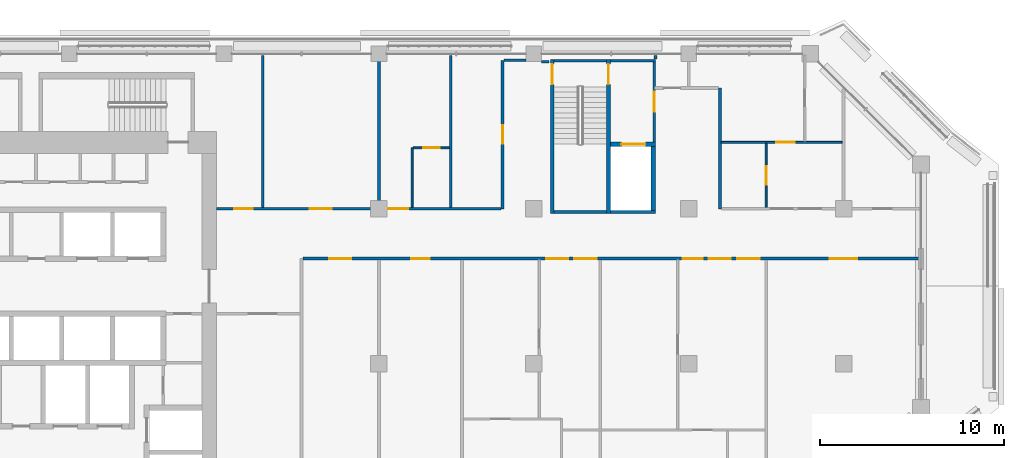
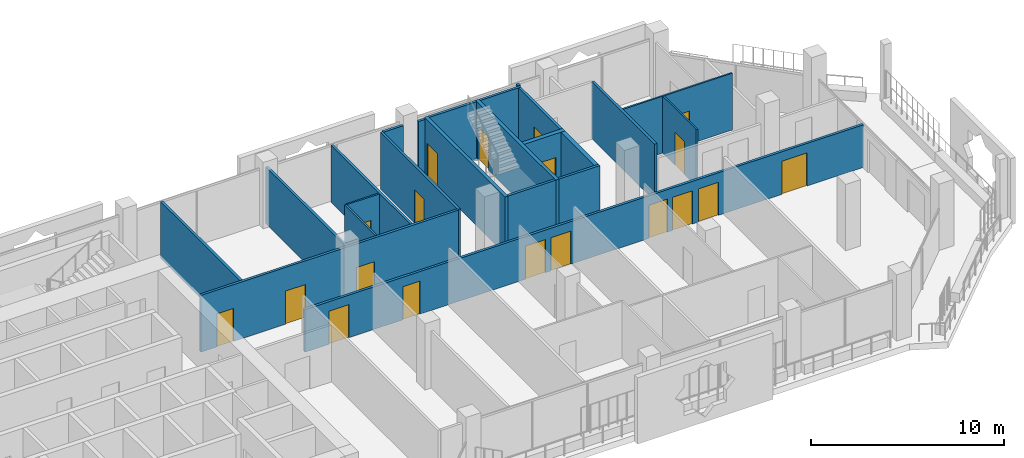
# One storey, part 12 of 20: 23 walls, 19 doors, 19 openings.
"""IFC4 building model written with IfcOpenShell, lengths in metres."""

from ifc_helpers import new_model, si_unit, direction, frame, frame_2d, origin, place, context, subcontext, project, spatial, rectangle, extrude, material, layer, layer_set, type_object, element, fill, save


model = new_model("IFC4")

# Units and contexts
model_context = context("Model", 3, precision=1e-05, world=origin(), true_north=direction((0.0, 1.0)))
body_context = subcontext(model_context, "Body", "Model", "MODEL_VIEW")
ifc_project = project(units=[si_unit("LENGTHUNIT", "METRE"), si_unit("AREAUNIT", "SQUARE_METRE"), si_unit("VOLUMEUNIT", "CUBIC_METRE"), si_unit("PLANEANGLEUNIT", "RADIAN"), si_unit("MASSUNIT", "GRAM", prefix="KILO")], contexts=[model_context])

# Site, building, storey
site_placement = place(None, origin())
site = spatial("IfcSite", under=ifc_project, at=site_placement, CompositionType="ELEMENT")
building_placement = place(site_placement, origin())
building = spatial("IfcBuilding", under=site, at=building_placement, Name="Kawkab Arch Medical Tower", CompositionType="ELEMENT")
storey_placement = place(building_placement, frame((0.0, 0.0, 239.0)))
storey = spatial("IfcBuildingStorey", under=building, at=storey_placement, Name="L55", CompositionType="ELEMENT", Elevation=239.0)

# Wall, opening, door
ifc_material_1 = material(Name="Gypsum board on steel studs", Category="steel")
ifc_layer_1 = layer(ifc_material_1, 0.14990234375)
ifc_layer_set_1 = layer_set([ifc_layer_1], Name="Gypsum board on steel studs")
wall_type_1 = type_object("IfcWallType", Name="Core room partition 150", PredefinedType="PARTITIONING", material=ifc_layer_set_1)
wall_1_placement = place(storey_placement, frame((48.52490234375, -4.77490234375, 0.0), z_axis=(0.0, 0.0, 1.0), x_axis=(0.0, 1.0, 0.0)))
wall_1 = element("IfcWall", 1, at=wall_1_placement, inside=storey, type_object=wall_type_1, Name="L55 core room partition", PredefinedType="PARTITIONING", context=body_context, shape_type="SweptSolid", body=[
    extrude(rectangle(XDim=4.324951171875, YDim=0.14990234375, at=frame_2d((2.16259765625, 0.0))), origin(), (0.0, 0.0, 1.0), 3.60009765625),
])
opening_1_placement = place(wall_1_placement, frame((1.625, 0.0, 0.0)))
opening_1 = element("IfcOpeningElement", 2, at=opening_1_placement, cuts=wall_1, Name="Opening FD", PredefinedType="OPENING", context=body_context, shape_type="SweptSolid", body=[
    extrude(rectangle(XDim=1.10009765625, YDim=2.10009765625, at=frame_2d((0.550048828125, 1.050048828125))), frame((0.0, 0.0849609375, 0.0), z_axis=(0.0, -1.0, 0.0), x_axis=(1.0, 0.0, 0.0)), (0.0, 0.0, 1.0), 0.169921875),
])
ifc_material_2 = material(Name="Hollow metal fire door leaf")
door_type_1 = type_object("IfcDoorType", Name="Firefighting lobby door 1100", OperationType="SINGLE_SWING_LEFT", PredefinedType="DOOR", material=ifc_material_2)
door_1_placement = place(opening_1_placement, origin())
door_1 = element("IfcDoor", 3, at=door_1_placement, inside=storey, type_object=door_type_1, Name="L55 Service lift lobby door SV1", OperationType="SINGLE_SWING_LEFT", OverallHeight=2.10009765625, OverallWidth=1.10009765625, PredefinedType="DOOR", context=body_context, shape_type="SweptSolid", body=[
    extrude(rectangle(XDim=1.10009765625, YDim=2.10009765625, at=frame_2d((0.550048828125, 1.050048828125))), frame((0.0, 0.02490234375, 0.0), z_axis=(0.0, -1.0, 0.0), x_axis=(1.0, 0.0, 0.0)), (0.0, 0.0, 1.0), 0.050048828125),
])
fill(opening_1, door_1)

ifc_material_3 = material(Name="Concrete C60/75", Category="concrete")
ifc_layer_2 = layer(ifc_material_3, 0.25)
ifc_layer_set_2 = layer_set([ifc_layer_2], Name="Concrete C60/75")
wall_type_2 = type_object("IfcWallType", Name="Core shear wall 250 C60/75", PredefinedType="SHEAR", material=ifc_layer_set_2)
wall_2_placement = place(storey_placement, frame((46.14990234375, -4.89990234375, 0.0), z_axis=(0.0, 0.0, 1.0), x_axis=(1.0, 0.0, 0.0)))
wall_2 = element("IfcWall", 4, at=wall_2_placement, inside=storey, type_object=wall_type_2, Name="L55 core shear wall", PredefinedType="SHEAR", context=body_context, shape_type="SweptSolid", body=[
    extrude(rectangle(XDim=2.4501953125, YDim=0.25, at=frame_2d((1.22509765625, 0.0))), origin(), (0.0, 0.0, 1.0), 3.60009765625),
])
opening_2_placement = place(wall_2_placement, frame((0.60009765625, 0.0, 0.0)))
opening_2 = element("IfcOpeningElement", 5, at=opening_2_placement, cuts=wall_2, Name="Opening LD2", PredefinedType="OPENING", context=body_context, shape_type="SweptSolid", body=[
    extrude(rectangle(XDim=1.300048828125, YDim=2.10009765625, at=frame_2d((0.64990234375, 1.050048828125))), frame((0.0, 0.135009765625, 0.0), z_axis=(0.0, -1.0, 0.0), x_axis=(1.0, 0.0, 0.0)), (0.0, 0.0, 1.0), 0.27001953125),
])
ifc_material_4 = material(Name="Stainless steel lift door leaf", Category="steel")
door_type_2 = type_object("IfcDoorType", Name="Lift landing door 1300", OperationType="DOUBLE_DOOR_SLIDING", PredefinedType="DOOR", material=ifc_material_4)
door_2_placement = place(opening_2_placement, origin())
door_2 = element("IfcDoor", 6, at=door_2_placement, inside=storey, type_object=door_type_2, Name="L55 Lift landing door SV1", OperationType="DOUBLE_DOOR_SLIDING", OverallHeight=2.10009765625, OverallWidth=1.300048828125, PredefinedType="DOOR", context=body_context, shape_type="SweptSolid", body=[
    extrude(rectangle(XDim=1.300048828125, YDim=2.10009765625, at=frame_2d((0.64990234375, 1.050048828125))), frame((0.0, 0.02490234375, 0.0), z_axis=(0.0, -1.0, 0.0), x_axis=(1.0, 0.0, 0.0)), (0.0, 0.0, 1.0), 0.050048828125),
])
fill(opening_2, door_2)

# Wall
wall_3_placement = place(storey_placement, frame((48.47509765625, -8.5, 0.0), z_axis=(0.0, 0.0, 1.0), x_axis=(0.0, 1.0, 0.0)))
element("IfcWall", 7, at=wall_3_placement, inside=storey, type_object=wall_type_2, Name="L55 core shear wall", PredefinedType="SHEAR", context=body_context, shape_type="SweptSolid", body=[
    extrude(rectangle(XDim=3.47509765625, YDim=0.25, at=frame_2d((1.737548828125, 0.0))), origin(), (0.0, 0.0, 1.0), 3.60009765625),
])

# Wall, opening, door
ifc_material_5 = material(Name="Gypsum board partition on steel studs", Category="steel")
ifc_layer_3 = layer(ifc_material_5, 0.10009765625)
ifc_layer_set_3 = layer_set([ifc_layer_3], Name="Gypsum board partition on steel studs")
wall_type_3 = type_object("IfcWallType", Name="Partition 100", PredefinedType="PARTITIONING", material=ifc_layer_set_3)
wall_4_placement = place(storey_placement, frame((35.449951171875, -5.10009765625, 0.0), z_axis=(0.0, 0.0, 1.0), x_axis=(1.0, 0.0, 0.0)))
wall_4 = element("IfcWall", 8, at=wall_4_placement, inside=storey, type_object=wall_type_3, Name="Partition 100 w003", PredefinedType="PARTITIONING", context=body_context, shape_type="SweptSolid", body=[
    extrude(rectangle(XDim=1.97509765625, YDim=0.10009765625, at=frame_2d((0.987548828125, 0.0))), origin(), (0.0, 0.0, 1.0), 3.60009765625),
])
opening_3_placement = place(wall_4_placement, frame((0.550048828125, 0.0, 0.0)))
opening_3 = element("IfcOpeningElement", 9, at=opening_3_placement, cuts=wall_4, Name="Opening W55-005", PredefinedType="OPENING", context=body_context, shape_type="SweptSolid", body=[
    extrude(rectangle(XDim=0.89990234375, YDim=2.10009765625, at=frame_2d((0.449951171875, 1.050048828125))), frame((0.0, 0.06005859375, 0.0), z_axis=(0.0, -1.0, 0.0), x_axis=(1.0, 0.0, 0.0)), (0.0, 0.0, 1.0), 0.1201171875),
])
ifc_material_6 = material(Name="Timber door leaf", Category="wood")
door_type_3 = type_object("IfcDoorType", Name="Single door 900x2100", OperationType="NOTDEFINED", PredefinedType="DOOR", material=ifc_material_6)
door_3_placement = place(opening_3_placement, origin())
door_3 = element("IfcDoor", 10, at=door_3_placement, inside=storey, type_object=door_type_3, Name="Door W55-005", OperationType="SINGLE_SWING_LEFT", OverallHeight=2.10009765625, OverallWidth=0.89990234375, PredefinedType="DOOR", context=body_context, shape_type="SweptSolid", body=[
    extrude(rectangle(XDim=0.89990234375, YDim=2.10009765625, at=frame_2d((0.449951171875, 1.050048828125))), frame((0.0, 0.02490234375, 0.0), z_axis=(0.0, -1.0, 0.0), x_axis=(1.0, 0.0, 0.0)), (0.0, 0.0, 1.0), 0.050048828125),
])
fill(opening_3, door_3)

wall_5_placement = place(storey_placement, frame((52.16796875, -4.800048828125, 0.0), z_axis=(0.0, 0.0, 1.0), x_axis=(1.0, 0.0, 0.0)))
wall_5 = element("IfcWall", 11, at=wall_5_placement, inside=storey, type_object=wall_type_3, Name="Partition 100 w004", PredefinedType="PARTITIONING", context=body_context, shape_type="SweptSolid", body=[
    extrude(rectangle(XDim=6.55712890625, YDim=0.10009765625, at=frame_2d((3.278564453125, 0.0))), origin(), (0.0, 0.0, 1.0), 3.60009765625),
])
opening_4_placement = place(wall_5_placement, frame((2.98193359375, 0.0, 0.0)))
opening_4 = element("IfcOpeningElement", 12, at=opening_4_placement, cuts=wall_5, Name="Opening W55-010", PredefinedType="OPENING", context=body_context, shape_type="SweptSolid", body=[
    extrude(rectangle(XDim=1.0, YDim=2.10009765625, at=frame_2d((0.5, 1.050048828125))), frame((0.0, 0.06005859375, 0.0), z_axis=(0.0, -1.0, 0.0), x_axis=(1.0, 0.0, 0.0)), (0.0, 0.0, 1.0), 0.1201171875),
])
ifc_material_7 = material(Name="Timber door leaf", Category="wood")
door_type_4 = type_object("IfcDoorType", Name="Single door 1000x2100", OperationType="NOTDEFINED", PredefinedType="DOOR", material=ifc_material_7)
door_4_placement = place(opening_4_placement, origin())
door_4 = element("IfcDoor", 13, at=door_4_placement, inside=storey, type_object=door_type_4, Name="Door W55-010", OperationType="SINGLE_SWING_LEFT", OverallHeight=2.10009765625, OverallWidth=1.0, PredefinedType="DOOR", context=body_context, shape_type="SweptSolid", body=[
    extrude(rectangle(XDim=1.0, YDim=2.10009765625, at=frame_2d((0.5, 1.050048828125))), frame((0.0, 0.02490234375, 0.0), z_axis=(0.0, -1.0, 0.0), x_axis=(1.0, 0.0, 0.0)), (0.0, 0.0, 1.0), 0.050048828125),
])
fill(opening_4, door_4)

# Wall
wall_6_placement = place(storey_placement, frame((35.39990234375, -8.324951171875, 0.0), z_axis=(0.0, 0.0, 1.0), x_axis=(0.0, 1.0, 0.0)))
element("IfcWall", 14, at=wall_6_placement, inside=storey, type_object=wall_type_3, Name="Partition 100 w005", PredefinedType="PARTITIONING", context=body_context, shape_type="SweptSolid", body=[
    extrude(rectangle(XDim=3.224853515625, YDim=0.10009765625, at=frame_2d((1.6123046875, 0.0))), origin(), (0.0, 0.0, 1.0), 3.60009765625),
])

# Wall, opening, door
wall_7_placement = place(storey_placement, frame((54.60009765625, -8.324951171875, 0.0), z_axis=(0.0, 0.0, 1.0), x_axis=(0.0, 1.0, 0.0)))
wall_7 = element("IfcWall", 15, at=wall_7_placement, inside=storey, type_object=wall_type_3, Name="Partition 100 w010", PredefinedType="PARTITIONING", context=body_context, shape_type="SweptSolid", body=[
    extrude(rectangle(XDim=3.474853515625, YDim=0.10009765625, at=frame_2d((1.7373046875, 0.0))), origin(), (0.0, 0.0, 1.0), 3.60009765625),
])
opening_5_placement = place(wall_7_placement, frame((1.22509765625, 0.0, 0.0)))
opening_5 = element("IfcOpeningElement", 16, at=opening_5_placement, cuts=wall_7, Name="Opening W55-011", PredefinedType="OPENING", context=body_context, shape_type="SweptSolid", body=[
    extrude(rectangle(XDim=1.0, YDim=2.10009765625, at=frame_2d((0.5, 1.050048828125))), frame((0.0, 0.06005859375, 0.0), z_axis=(0.0, -1.0, 0.0), x_axis=(1.0, 0.0, 0.0)), (0.0, 0.0, 1.0), 0.1201171875),
])
door_5_placement = place(opening_5_placement, origin())
door_5 = element("IfcDoor", 17, at=door_5_placement, inside=storey, type_object=door_type_4, Name="Door W55-011", OperationType="SINGLE_SWING_LEFT", OverallHeight=2.10009765625, OverallWidth=1.0, PredefinedType="DOOR", context=body_context, shape_type="SweptSolid", body=[
    extrude(rectangle(XDim=1.0, YDim=2.10009765625, at=frame_2d((0.5, 1.050048828125))), frame((0.0, 0.02490234375, 0.0), z_axis=(0.0, -1.0, 0.0), x_axis=(1.0, 0.0, 0.0)), (0.0, 0.0, 1.0), 0.050048828125),
])
fill(opening_5, door_5)

# Wall, openings, doors
ifc_material_8 = material(Name="Gypsum board partition on steel studs, mineral wool", Category="steel")
ifc_layer_4 = layer(ifc_material_8, 0.14990234375)
ifc_layer_set_4 = layer_set([ifc_layer_4], Name="Gypsum board partition on steel studs, mineral wool")
wall_type_4 = type_object("IfcWallType", Name="Partition 150", PredefinedType="PARTITIONING", material=ifc_layer_set_4)
wall_8_placement = place(storey_placement, frame((29.47509765625, -11.10009765625, 0.0), z_axis=(0.0, 0.0, 1.0), x_axis=(1.0, 0.0, 0.0)))
wall_8 = element("IfcWall", 18, at=wall_8_placement, inside=storey, type_object=wall_type_4, Name="Partition 150 w021", PredefinedType="PARTITIONING", context=body_context, shape_type="SweptSolid", body=[
    extrude(rectangle(XDim=33.44482421875, YDim=0.14990234375, at=frame_2d((16.722412109375, 0.0))), origin(), (0.0, 0.0, 1.0), 2.699951171875),
])
opening_6_placement = place(wall_8_placement, frame((1.425048828125, 0.0, 0.0)))
opening_6 = element("IfcOpeningElement", 19, at=opening_6_placement, cuts=wall_8, Name="Opening W55-026", PredefinedType="OPENING", context=body_context, shape_type="SweptSolid", body=[
    extrude(rectangle(XDim=1.199951171875, YDim=2.10009765625, at=frame_2d((0.60009765625, 1.050048828125))), frame((0.0, 0.0849609375, 0.0), z_axis=(0.0, -1.0, 0.0), x_axis=(1.0, 0.0, 0.0)), (0.0, 0.0, 1.0), 0.169921875),
])
opening_7_placement = place(wall_8_placement, frame((5.875, 0.0, 0.0)))
opening_7 = element("IfcOpeningElement", 20, at=opening_7_placement, cuts=wall_8, Name="Opening W55-019", PredefinedType="OPENING", context=body_context, shape_type="SweptSolid", body=[
    extrude(rectangle(XDim=1.0, YDim=2.10009765625, at=frame_2d((0.5, 1.050048828125))), frame((0.0, 0.0849609375, 0.0), z_axis=(0.0, -1.0, 0.0), x_axis=(1.0, 0.0, 0.0)), (0.0, 0.0, 1.0), 0.169921875),
])
opening_8_placement = place(wall_8_placement, frame((14.72509765625, 0.0, 0.0)))
opening_8 = element("IfcOpeningElement", 21, at=opening_8_placement, cuts=wall_8, Name="Opening W55-027", PredefinedType="OPENING", context=body_context, shape_type="SweptSolid", body=[
    extrude(rectangle(XDim=1.199951171875, YDim=2.10009765625, at=frame_2d((0.60009765625, 1.050048828125))), frame((0.0, 0.0849609375, 0.0), z_axis=(0.0, -1.0, 0.0), x_axis=(1.0, 0.0, 0.0)), (0.0, 0.0, 1.0), 0.169921875),
])
opening_9_placement = place(wall_8_placement, frame((13.205078125, 0.0, 0.0)))
opening_9 = element("IfcOpeningElement", 22, at=opening_9_placement, cuts=wall_8, Name="Opening W55-028", PredefinedType="OPENING", context=body_context, shape_type="SweptSolid", body=[
    extrude(rectangle(XDim=1.199951171875, YDim=2.10009765625, at=frame_2d((0.60009765625, 1.050048828125))), frame((0.0, 0.0849609375, 0.0), z_axis=(0.0, -1.0, 0.0), x_axis=(1.0, 0.0, 0.0)), (0.0, 0.0, 1.0), 0.169921875),
])
opening_10_placement = place(wall_8_placement, frame((23.56494140625, 0.0, 0.0)))
opening_10 = element("IfcOpeningElement", 23, at=opening_10_placement, cuts=wall_8, Name="Opening W55-029", PredefinedType="OPENING", context=body_context, shape_type="SweptSolid", body=[
    extrude(rectangle(XDim=1.199951171875, YDim=2.10009765625, at=frame_2d((0.60009765625, 1.050048828125))), frame((0.0, 0.0849609375, 0.0), z_axis=(0.0, -1.0, 0.0), x_axis=(1.0, 0.0, 0.0)), (0.0, 0.0, 1.0), 0.169921875),
])
opening_11_placement = place(wall_8_placement, frame((22.0048828125, 0.0, 0.0)))
opening_11 = element("IfcOpeningElement", 24, at=opening_11_placement, cuts=wall_8, Name="Opening W55-030", PredefinedType="OPENING", context=body_context, shape_type="SweptSolid", body=[
    extrude(rectangle(XDim=1.199951171875, YDim=2.10009765625, at=frame_2d((0.60009765625, 1.050048828125))), frame((0.0, 0.0849609375, 0.0), z_axis=(0.0, -1.0, 0.0), x_axis=(1.0, 0.0, 0.0)), (0.0, 0.0, 1.0), 0.169921875),
])
opening_12_placement = place(wall_8_placement, frame((20.594970703125, 0.0, 0.0)))
opening_12 = element("IfcOpeningElement", 25, at=opening_12_placement, cuts=wall_8, Name="Opening W55-023", PredefinedType="OPENING", context=body_context, shape_type="SweptSolid", body=[
    extrude(rectangle(XDim=1.10009765625, YDim=2.10009765625, at=frame_2d((0.550048828125, 1.050048828125))), frame((0.0, 0.0849609375, 0.0), z_axis=(0.0, -1.0, 0.0), x_axis=(1.0, 0.0, 0.0)), (0.0, 0.0, 1.0), 0.169921875),
])
opening_13_placement = place(wall_8_placement, frame((28.574951171875, 0.0, 0.0)))
opening_13 = element("IfcOpeningElement", 26, at=opening_13_placement, cuts=wall_8, Name="Opening W55-002", PredefinedType="OPENING", context=body_context, shape_type="SweptSolid", body=[
    extrude(rectangle(XDim=1.5, YDim=2.10009765625, at=frame_2d((0.75, 1.050048828125))), frame((0.0, 0.0849609375, 0.0), z_axis=(0.0, -1.0, 0.0), x_axis=(1.0, 0.0, 0.0)), (0.0, 0.0, 1.0), 0.169921875),
])
ifc_material_9 = material(Name="Hollow metal door leaf")
door_type_5 = type_object("IfcDoorType", Name="Double door 1500x2100 FD30S", OperationType="NOTDEFINED", PredefinedType="DOOR", material=ifc_material_9)
door_6_placement = place(opening_13_placement, origin())
door_6 = element("IfcDoor", 27, at=door_6_placement, inside=storey, type_object=door_type_5, Name="Door W55-002", OperationType="DOUBLE_DOOR_SINGLE_SWING", OverallHeight=2.10009765625, OverallWidth=1.5, PredefinedType="DOOR", context=body_context, shape_type="SweptSolid", body=[
    extrude(rectangle(XDim=1.5, YDim=2.10009765625, at=frame_2d((0.75, 1.050048828125))), frame((0.0, 0.02490234375, 0.0), z_axis=(0.0, -1.0, 0.0), x_axis=(1.0, 0.0, 0.0)), (0.0, 0.0, 1.0), 0.050048828125),
])
fill(opening_13, door_6)
ifc_material_10 = material(Name="Hollow metal door leaf")
door_type_6 = type_object("IfcDoorType", Name="Single door 1000x2100 FD30S", OperationType="NOTDEFINED", PredefinedType="DOOR", material=ifc_material_10)
door_7_placement = place(opening_7_placement, origin())
door_7 = element("IfcDoor", 28, at=door_7_placement, inside=storey, type_object=door_type_6, Name="Door W55-019", OperationType="SINGLE_SWING_RIGHT", OverallHeight=2.10009765625, OverallWidth=1.0, PredefinedType="DOOR", context=body_context, shape_type="SweptSolid", body=[
    extrude(rectangle(XDim=1.0, YDim=2.10009765625, at=frame_2d((0.5, 1.050048828125))), frame((0.0, 0.02490234375, 0.0), z_axis=(0.0, -1.0, 0.0), x_axis=(1.0, 0.0, 0.0)), (0.0, 0.0, 1.0), 0.050048828125),
])
fill(opening_7, door_7)
ifc_material_11 = material(Name="Hollow metal door leaf")
door_type_7 = type_object("IfcDoorType", Name="Single door 1100x2100 FD30S", OperationType="NOTDEFINED", PredefinedType="DOOR", material=ifc_material_11)
door_8_placement = place(opening_12_placement, origin())
door_8 = element("IfcDoor", 29, at=door_8_placement, inside=storey, type_object=door_type_7, Name="Door W55-023", OperationType="SINGLE_SWING_LEFT", OverallHeight=2.10009765625, OverallWidth=1.10009765625, PredefinedType="DOOR", context=body_context, shape_type="SweptSolid", body=[
    extrude(rectangle(XDim=1.10009765625, YDim=2.10009765625, at=frame_2d((0.550048828125, 1.050048828125))), frame((0.0, 0.02490234375, 0.0), z_axis=(0.0, -1.0, 0.0), x_axis=(1.0, 0.0, 0.0)), (0.0, 0.0, 1.0), 0.050048828125),
])
fill(opening_12, door_8)
ifc_material_12 = material(Name="Hollow metal door leaf")
door_type_8 = type_object("IfcDoorType", Name="Single door 1200x2100 FD30S", OperationType="NOTDEFINED", PredefinedType="DOOR", material=ifc_material_12)
door_9_placement = place(opening_6_placement, origin())
door_9 = element("IfcDoor", 30, at=door_9_placement, inside=storey, type_object=door_type_8, Name="Door W55-026", OperationType="SINGLE_SWING_RIGHT", OverallHeight=2.10009765625, OverallWidth=1.199951171875, PredefinedType="DOOR", context=body_context, shape_type="SweptSolid", body=[
    extrude(rectangle(XDim=1.199951171875, YDim=2.10009765625, at=frame_2d((0.60009765625, 1.050048828125))), frame((0.0, 0.02490234375, 0.0), z_axis=(0.0, -1.0, 0.0), x_axis=(1.0, 0.0, 0.0)), (0.0, 0.0, 1.0), 0.050048828125),
])
fill(opening_6, door_9)
door_10_placement = place(opening_8_placement, origin())
door_10 = element("IfcDoor", 31, at=door_10_placement, inside=storey, type_object=door_type_8, Name="Door W55-027", OperationType="SINGLE_SWING_RIGHT", OverallHeight=2.10009765625, OverallWidth=1.199951171875, PredefinedType="DOOR", context=body_context, shape_type="SweptSolid", body=[
    extrude(rectangle(XDim=1.199951171875, YDim=2.10009765625, at=frame_2d((0.60009765625, 1.050048828125))), frame((0.0, 0.02490234375, 0.0), z_axis=(0.0, -1.0, 0.0), x_axis=(1.0, 0.0, 0.0)), (0.0, 0.0, 1.0), 0.050048828125),
])
fill(opening_8, door_10)
door_11_placement = place(opening_9_placement, origin())
door_11 = element("IfcDoor", 32, at=door_11_placement, inside=storey, type_object=door_type_8, Name="Door W55-028", OperationType="SINGLE_SWING_RIGHT", OverallHeight=2.10009765625, OverallWidth=1.199951171875, PredefinedType="DOOR", context=body_context, shape_type="SweptSolid", body=[
    extrude(rectangle(XDim=1.199951171875, YDim=2.10009765625, at=frame_2d((0.60009765625, 1.050048828125))), frame((0.0, 0.02490234375, 0.0), z_axis=(0.0, -1.0, 0.0), x_axis=(1.0, 0.0, 0.0)), (0.0, 0.0, 1.0), 0.050048828125),
])
fill(opening_9, door_11)
door_12_placement = place(opening_10_placement, origin())
door_12 = element("IfcDoor", 33, at=door_12_placement, inside=storey, type_object=door_type_8, Name="Door W55-029", OperationType="SINGLE_SWING_LEFT", OverallHeight=2.10009765625, OverallWidth=1.199951171875, PredefinedType="DOOR", context=body_context, shape_type="SweptSolid", body=[
    extrude(rectangle(XDim=1.199951171875, YDim=2.10009765625, at=frame_2d((0.60009765625, 1.050048828125))), frame((0.0, 0.02490234375, 0.0), z_axis=(0.0, -1.0, 0.0), x_axis=(1.0, 0.0, 0.0)), (0.0, 0.0, 1.0), 0.050048828125),
])
fill(opening_10, door_12)
door_13_placement = place(opening_11_placement, origin())
door_13 = element("IfcDoor", 34, at=door_13_placement, inside=storey, type_object=door_type_8, Name="Door W55-030", OperationType="SINGLE_SWING_LEFT", OverallHeight=2.10009765625, OverallWidth=1.199951171875, PredefinedType="DOOR", context=body_context, shape_type="SweptSolid", body=[
    extrude(rectangle(XDim=1.199951171875, YDim=2.10009765625, at=frame_2d((0.60009765625, 1.050048828125))), frame((0.0, 0.02490234375, 0.0), z_axis=(0.0, -1.0, 0.0), x_axis=(1.0, 0.0, 0.0)), (0.0, 0.0, 1.0), 0.050048828125),
])
fill(opening_11, door_13)

wall_9_placement = place(storey_placement, frame((24.800048828125, -8.39990234375, 0.0), z_axis=(0.0, 0.0, 1.0), x_axis=(1.0, 0.0, 0.0)))
wall_9 = element("IfcWall", 35, at=wall_9_placement, inside=storey, type_object=wall_type_4, Name="Partition 150 w022", PredefinedType="PARTITIONING", context=body_context, shape_type="SweptSolid", body=[
    extrude(rectangle(XDim=15.431884765625, YDim=0.14990234375, at=frame_2d((7.7158203125, 0.0))), origin(), (0.0, 0.0, 1.0), 3.60009765625),
])
opening_14_placement = place(wall_9_placement, frame((9.300048828125, 0.0, 0.0)))
opening_14 = element("IfcOpeningElement", 36, at=opening_14_placement, cuts=wall_9, Name="Opening W55-022", PredefinedType="OPENING", context=body_context, shape_type="SweptSolid", body=[
    extrude(rectangle(XDim=1.10009765625, YDim=2.10009765625, at=frame_2d((0.550048828125, 1.050048828125))), frame((0.0, 0.0849609375, 0.0), z_axis=(0.0, -1.0, 0.0), x_axis=(1.0, 0.0, 0.0)), (0.0, 0.0, 1.0), 0.169921875),
])
opening_15_placement = place(wall_9_placement, frame((0.949951171875, 0.0, 0.0)))
opening_15 = element("IfcOpeningElement", 37, at=opening_15_placement, cuts=wall_9, Name="Opening W55-016", PredefinedType="OPENING", context=body_context, shape_type="SweptSolid", body=[
    extrude(rectangle(XDim=1.0, YDim=2.10009765625, at=frame_2d((0.5, 1.050048828125))), frame((0.0, 0.0849609375, 0.0), z_axis=(0.0, -1.0, 0.0), x_axis=(1.0, 0.0, 0.0)), (0.0, 0.0, 1.0), 0.169921875),
])
opening_16_placement = place(wall_9_placement, frame((5.050048828125, 0.0, 0.0)))
opening_16 = element("IfcOpeningElement", 38, at=opening_16_placement, cuts=wall_9, Name="Opening W55-032", PredefinedType="OPENING", context=body_context, shape_type="SweptSolid", body=[
    extrude(rectangle(XDim=1.199951171875, YDim=2.10009765625, at=frame_2d((0.60009765625, 1.050048828125))), frame((0.0, 0.0849609375, 0.0), z_axis=(0.0, -1.0, 0.0), x_axis=(1.0, 0.0, 0.0)), (0.0, 0.0, 1.0), 0.169921875),
])
door_14_placement = place(opening_15_placement, origin())
door_14 = element("IfcDoor", 39, at=door_14_placement, inside=storey, type_object=door_type_4, Name="Door W55-016", OperationType="SINGLE_SWING_LEFT", OverallHeight=2.10009765625, OverallWidth=1.0, PredefinedType="DOOR", context=body_context, shape_type="SweptSolid", body=[
    extrude(rectangle(XDim=1.0, YDim=2.10009765625, at=frame_2d((0.5, 1.050048828125))), frame((0.0, 0.02490234375, 0.0), z_axis=(0.0, -1.0, 0.0), x_axis=(1.0, 0.0, 0.0)), (0.0, 0.0, 1.0), 0.050048828125),
])
fill(opening_15, door_14)
door_15_placement = place(opening_14_placement, origin())
door_15 = element("IfcDoor", 40, at=door_15_placement, inside=storey, type_object=door_type_7, Name="Door W55-022", OperationType="SINGLE_SWING_RIGHT", OverallHeight=2.10009765625, OverallWidth=1.10009765625, PredefinedType="DOOR", context=body_context, shape_type="SweptSolid", body=[
    extrude(rectangle(XDim=1.10009765625, YDim=2.10009765625, at=frame_2d((0.550048828125, 1.050048828125))), frame((0.0, 0.02490234375, 0.0), z_axis=(0.0, -1.0, 0.0), x_axis=(1.0, 0.0, 0.0)), (0.0, 0.0, 1.0), 0.050048828125),
])
fill(opening_14, door_15)
door_16_placement = place(opening_16_placement, origin())
door_16 = element("IfcDoor", 41, at=door_16_placement, inside=storey, type_object=door_type_8, Name="Door W55-032", OperationType="SINGLE_SWING_LEFT", OverallHeight=2.10009765625, OverallWidth=1.199951171875, PredefinedType="DOOR", context=body_context, shape_type="SweptSolid", body=[
    extrude(rectangle(XDim=1.199951171875, YDim=2.10009765625, at=frame_2d((0.60009765625, 1.050048828125))), frame((0.0, 0.02490234375, 0.0), z_axis=(0.0, -1.0, 0.0), x_axis=(1.0, 0.0, 0.0)), (0.0, 0.0, 1.0), 0.050048828125),
])
fill(opening_16, door_16)

# Walls
wall_10_placement = place(storey_placement, frame((42.427001953125, -0.425048828125, 0.0), z_axis=(0.0, 0.0, 1.0), x_axis=(1.0, 0.0, 0.0)))
element("IfcWall", 42, at=wall_10_placement, inside=storey, type_object=wall_type_4, Name="Partition 150 w026", PredefinedType="PARTITIONING", context=body_context, shape_type="SweptSolid", body=[
    extrude(rectangle(XDim=0.39306640625, YDim=0.14990234375, at=frame_2d((0.196533203125, 0.0))), origin(), (0.0, 0.0, 1.0), 3.60009765625),
])
wall_11_placement = place(storey_placement, frame((40.383056640625, -0.35009765625, 0.0), z_axis=(0.0, 0.0, 1.0), x_axis=(1.0, 0.0, 0.0)))
element("IfcWall", 43, at=wall_11_placement, inside=storey, type_object=wall_type_4, Name="Partition 150 w027", PredefinedType="PARTITIONING", context=body_context, shape_type="SweptSolid", body=[
    extrude(rectangle(XDim=1.19189453125, YDim=0.14990234375, at=frame_2d((0.595947265625, 0.0))), origin(), (0.0, 0.0, 1.0), 3.60009765625),
])
for number, where, z_axis, x_axis, name in (
    (44, (27.300048828125, -8.324951171875, 0.0), (0.0, 0.0, 1.0), (0.0, 1.0, 0.0), "Partition 150 w037"),
    (45, (33.60009765625, -8.324951171875, 0.0), (0.0, 0.0, 1.0), (0.0, 1.0, 0.0), "Partition 150 w040"),
    (46, (37.5, -8.324951171875, 0.0), (0.0, 0.0, 1.0), (0.0, 1.0, 0.0), "Partition 150 w041"),
):
    element("IfcWall", number, at=place(storey_placement, frame(where, z_axis=z_axis, x_axis=x_axis)), inside=storey, type_object=wall_type_4, Name=name, PredefinedType="PARTITIONING", context=body_context, shape_type="SweptSolid", body=[
        extrude(rectangle(XDim=8.244873046875, YDim=0.14990234375, at=frame_2d((4.12255859375, 0.0))), origin(), (0.0, 0.0, 1.0), 3.60009765625),
    ])

# Wall, opening, door
wall_12_placement = place(storey_placement, frame((40.306884765625, -8.39990234375, 0.0), z_axis=(0.0, 0.0, 1.0), x_axis=(0.0, 1.0, 0.0)))
wall_12 = element("IfcWall", 47, at=wall_12_placement, inside=storey, type_object=wall_type_4, Name="Partition 150 w043", PredefinedType="PARTITIONING", context=body_context, shape_type="SweptSolid", body=[
    extrude(rectangle(XDim=8.0478515625, YDim=0.14990234375, at=frame_2d((4.02392578125, 0.0))), origin(), (0.0, 0.0, 1.0), 3.60009765625),
])
opening_17_placement = place(wall_12_placement, frame((3.52392578125, 0.0, 0.0)))
opening_17 = element("IfcOpeningElement", 48, at=opening_17_placement, cuts=wall_12, Name="Opening W55-017", PredefinedType="OPENING", context=body_context, shape_type="SweptSolid", body=[
    extrude(rectangle(XDim=1.0, YDim=2.10009765625, at=frame_2d((0.5, 1.050048828125))), frame((0.0, 0.0849609375, 0.0), z_axis=(0.0, -1.0, 0.0), x_axis=(1.0, 0.0, 0.0)), (0.0, 0.0, 1.0), 0.169921875),
])
door_17_placement = place(opening_17_placement, origin())
door_17 = element("IfcDoor", 49, at=door_17_placement, inside=storey, type_object=door_type_6, Name="Door W55-017", OperationType="SINGLE_SWING_RIGHT", OverallHeight=2.10009765625, OverallWidth=1.0, PredefinedType="DOOR", context=body_context, shape_type="SweptSolid", body=[
    extrude(rectangle(XDim=1.0, YDim=2.10009765625, at=frame_2d((0.5, 1.050048828125))), frame((0.0, 0.02490234375, 0.0), z_axis=(0.0, -1.0, 0.0), x_axis=(1.0, 0.0, 0.0)), (0.0, 0.0, 1.0), 0.050048828125),
])
fill(opening_17, door_17)

# Walls
wall_13_placement = place(storey_placement, frame((48.60009765625, -0.27001953125, 0.0), z_axis=(0.0, 0.0, 1.0), x_axis=(0.0, 1.0, 0.0)))
element("IfcWall", 50, at=wall_13_placement, inside=storey, type_object=wall_type_4, Name="Partition 150 w045", PredefinedType="PARTITIONING", context=body_context, shape_type="SweptSolid", body=[
    extrude(rectangle(XDim=0.18994140625, YDim=0.14990234375, at=frame_2d((0.094970703125, 0.0))), origin(), (0.0, 0.0, 1.0), 3.60009765625),
])
wall_14_placement = place(storey_placement, frame((52.093017578125, -8.39990234375, 0.0), z_axis=(0.0, 0.0, 1.0), x_axis=(0.0, 1.0, 0.0)))
element("IfcWall", 51, at=wall_14_placement, inside=storey, type_object=wall_type_4, Name="Partition 150 w047", PredefinedType="PARTITIONING", context=body_context, shape_type="SweptSolid", body=[
    extrude(rectangle(XDim=6.5498046875, YDim=0.14990234375, at=frame_2d((3.27490234375, 0.0))), origin(), (0.0, 0.0, 1.0), 3.60009765625),
])
ifc_material_13 = material(Name="Concrete C50/60", Category="concrete")
ifc_layer_5 = layer(ifc_material_13, 0.14990234375)
ifc_layer_set_5 = layer_set([ifc_layer_5], Name="Concrete C50/60")
wall_type_5 = type_object("IfcWallType", Name="Stair enclosure wall 150 C50/60", PredefinedType="SHEAR", material=ifc_layer_set_5)
wall_15_placement = place(storey_placement, frame((43.10009765625, -0.375, 0.0), z_axis=(0.0, 0.0, 1.0), x_axis=(1.0, 0.0, 0.0)))
element("IfcWall", 52, at=wall_15_placement, inside=storey, type_object=wall_type_5, Name="L55 stair enclosure wall", PredefinedType="SHEAR", context=body_context, shape_type="SweptSolid", body=[
    extrude(rectangle(XDim=2.849853515625, YDim=0.14990234375, at=frame_2d((1.4248046875, 0.0))), origin(), (0.0, 0.0, 1.0), 3.60009765625),
])
wall_16_placement = place(storey_placement, frame((46.14990234375, -0.375, 0.0), z_axis=(0.0, 0.0, 1.0), x_axis=(1.0, 0.0, 0.0)))
element("IfcWall", 53, at=wall_16_placement, inside=storey, type_object=wall_type_5, Name="L55 stair enclosure wall", PredefinedType="SHEAR", context=body_context, shape_type="SweptSolid", body=[
    extrude(rectangle(XDim=2.4501953125, YDim=0.14990234375, at=frame_2d((1.22509765625, 0.0))), origin(), (0.0, 0.0, 1.0), 3.60009765625),
])
wall_17_placement = place(storey_placement, frame((43.10009765625, -8.574951171875, 0.0), z_axis=(0.0, 0.0, 1.0), x_axis=(1.0, 0.0, 0.0)))
element("IfcWall", 54, at=wall_17_placement, inside=storey, type_object=wall_type_5, Name="L55 stair enclosure wall", PredefinedType="SHEAR", context=body_context, shape_type="SweptSolid", body=[
    extrude(rectangle(XDim=2.849853515625, YDim=0.14990234375, at=frame_2d((1.4248046875, 0.0))), origin(), (0.0, 0.0, 1.0), 3.60009765625),
])
wall_18_placement = place(storey_placement, frame((46.14990234375, -8.574951171875, 0.0), z_axis=(0.0, 0.0, 1.0), x_axis=(1.0, 0.0, 0.0)))
element("IfcWall", 55, at=wall_18_placement, inside=storey, type_object=wall_type_5, Name="L55 stair enclosure wall", PredefinedType="SHEAR", context=body_context, shape_type="SweptSolid", body=[
    extrude(rectangle(XDim=2.4501953125, YDim=0.14990234375, at=frame_2d((1.22509765625, 0.0))), origin(), (0.0, 0.0, 1.0), 3.60009765625),
])

# Wall, opening, door
ifc_material_14 = material(Name="Concrete C50/60", Category="concrete")
ifc_layer_6 = layer(ifc_material_14, 0.199951171875)
ifc_layer_set_6 = layer_set([ifc_layer_6], Name="Concrete C50/60")
wall_type_6 = type_object("IfcWallType", Name="Stair enclosure wall 200 C50/60", PredefinedType="SHEAR", material=ifc_layer_set_6)
wall_19_placement = place(storey_placement, frame((43.0, -8.64990234375, 0.0), z_axis=(0.0, 0.0, 1.0), x_axis=(0.0, 1.0, 0.0)))
wall_19 = element("IfcWall", 56, at=wall_19_placement, inside=storey, type_object=wall_type_6, Name="L55 stair enclosure wall", PredefinedType="SHEAR", context=body_context, shape_type="SweptSolid", body=[
    extrude(rectangle(XDim=8.349853515625, YDim=0.199951171875, at=frame_2d((4.1748046875, 0.0))), origin(), (0.0, 0.0, 1.0), 3.60009765625),
])
opening_18_placement = place(wall_19_placement, frame((7.0, 0.0, 0.0)))
opening_18 = element("IfcOpeningElement", 57, at=opening_18_placement, cuts=wall_19, Name="Opening SD", PredefinedType="OPENING", context=body_context, shape_type="SweptSolid", body=[
    extrude(rectangle(XDim=1.10009765625, YDim=2.10009765625, at=frame_2d((0.550048828125, 1.050048828125))), frame((0.0, 0.10986328125, 0.0), z_axis=(0.0, -1.0, 0.0), x_axis=(1.0, 0.0, 0.0)), (0.0, 0.0, 1.0), 0.219970703125),
])
ifc_material_15 = material(Name="Hollow metal fire door leaf")
door_type_9 = type_object("IfcDoorType", Name="Exit stair door 1100", OperationType="SINGLE_SWING_LEFT", PredefinedType="DOOR", material=ifc_material_15)
door_18_placement = place(opening_18_placement, frame((1.10009765625, 0.0, 0.0), z_axis=(0.0, 0.0, 1.0), x_axis=(-1.0, 0.0, 0.0)))
door_18 = element("IfcDoor", 58, at=door_18_placement, inside=storey, type_object=door_type_9, Name="L55 Exit stair ST5 door", OperationType="SINGLE_SWING_LEFT", OverallHeight=2.10009765625, OverallWidth=1.10009765625, PredefinedType="DOOR", context=body_context, shape_type="SweptSolid", body=[
    extrude(rectangle(XDim=1.10009765625, YDim=2.10009765625, at=frame_2d((0.550048828125, 1.050048828125))), frame((0.0, 0.02490234375, 0.0), z_axis=(0.0, -1.0, 0.0), x_axis=(1.0, 0.0, 0.0)), (0.0, 0.0, 1.0), 0.050048828125),
])
fill(opening_18, door_18)

wall_20_placement = place(storey_placement, frame((46.050048828125, -8.64990234375, 0.0), z_axis=(0.0, 0.0, 1.0), x_axis=(0.0, 1.0, 0.0)))
wall_20 = element("IfcWall", 59, at=wall_20_placement, inside=storey, type_object=wall_type_6, Name="L55 stair enclosure wall", PredefinedType="SHEAR", context=body_context, shape_type="SweptSolid", body=[
    extrude(rectangle(XDim=8.349853515625, YDim=0.199951171875, at=frame_2d((4.1748046875, 0.0))), origin(), (0.0, 0.0, 1.0), 3.60009765625),
])
opening_19_placement = place(wall_20_placement, frame((7.0, 0.0, 0.0)))
opening_19 = element("IfcOpeningElement", 60, at=opening_19_placement, cuts=wall_20, Name="Opening SD", PredefinedType="OPENING", context=body_context, shape_type="SweptSolid", body=[
    extrude(rectangle(XDim=1.10009765625, YDim=2.10009765625, at=frame_2d((0.550048828125, 1.050048828125))), frame((0.0, 0.10986328125, 0.0), z_axis=(0.0, -1.0, 0.0), x_axis=(1.0, 0.0, 0.0)), (0.0, 0.0, 1.0), 0.219970703125),
])
door_19_placement = place(opening_19_placement, origin())
door_19 = element("IfcDoor", 61, at=door_19_placement, inside=storey, type_object=door_type_9, Name="L55 Exit stair ST5 lobby door", OperationType="SINGLE_SWING_LEFT", OverallHeight=2.10009765625, OverallWidth=1.10009765625, PredefinedType="DOOR", context=body_context, shape_type="SweptSolid", body=[
    extrude(rectangle(XDim=1.10009765625, YDim=2.10009765625, at=frame_2d((0.550048828125, 1.050048828125))), frame((0.0, 0.02490234375, 0.0), z_axis=(0.0, -1.0, 0.0), x_axis=(1.0, 0.0, 0.0)), (0.0, 0.0, 1.0), 0.050048828125),
])
fill(opening_19, door_19)

save(model, "model.ifc")
